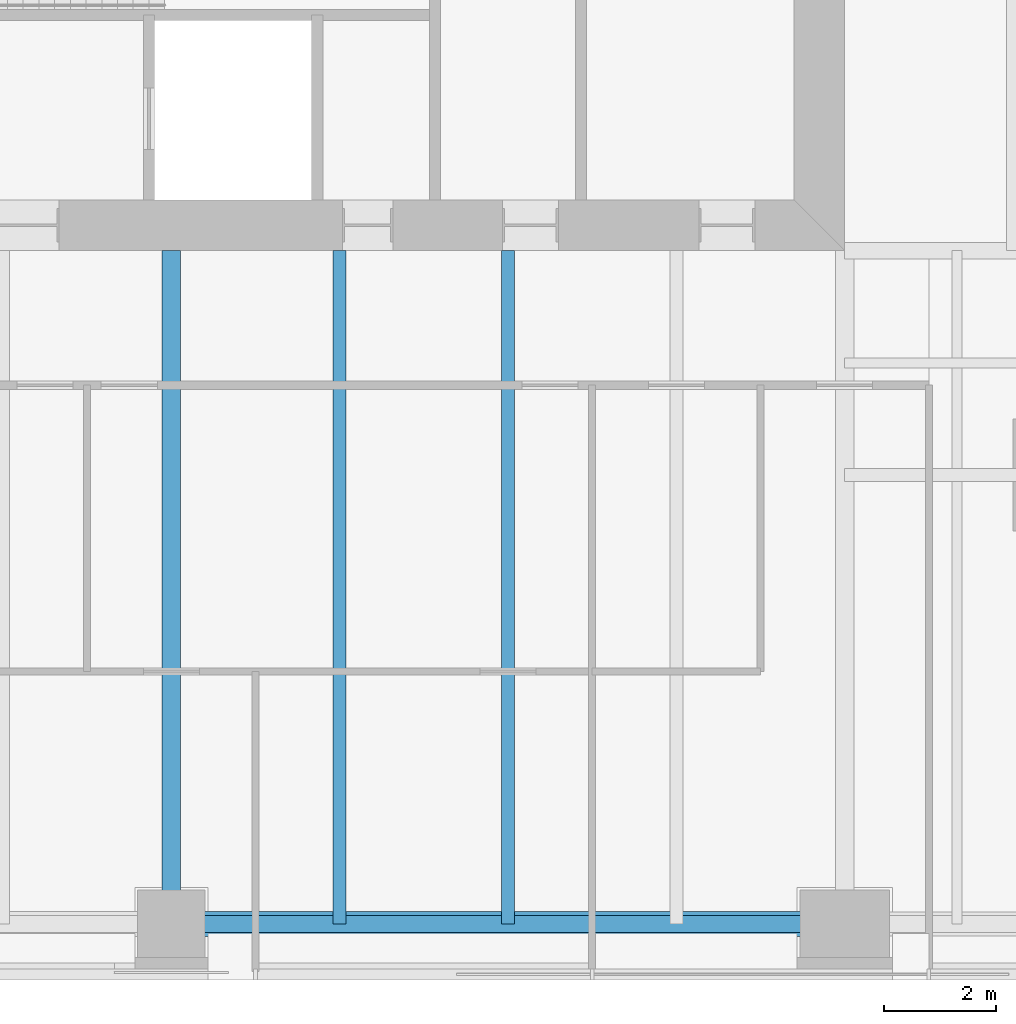
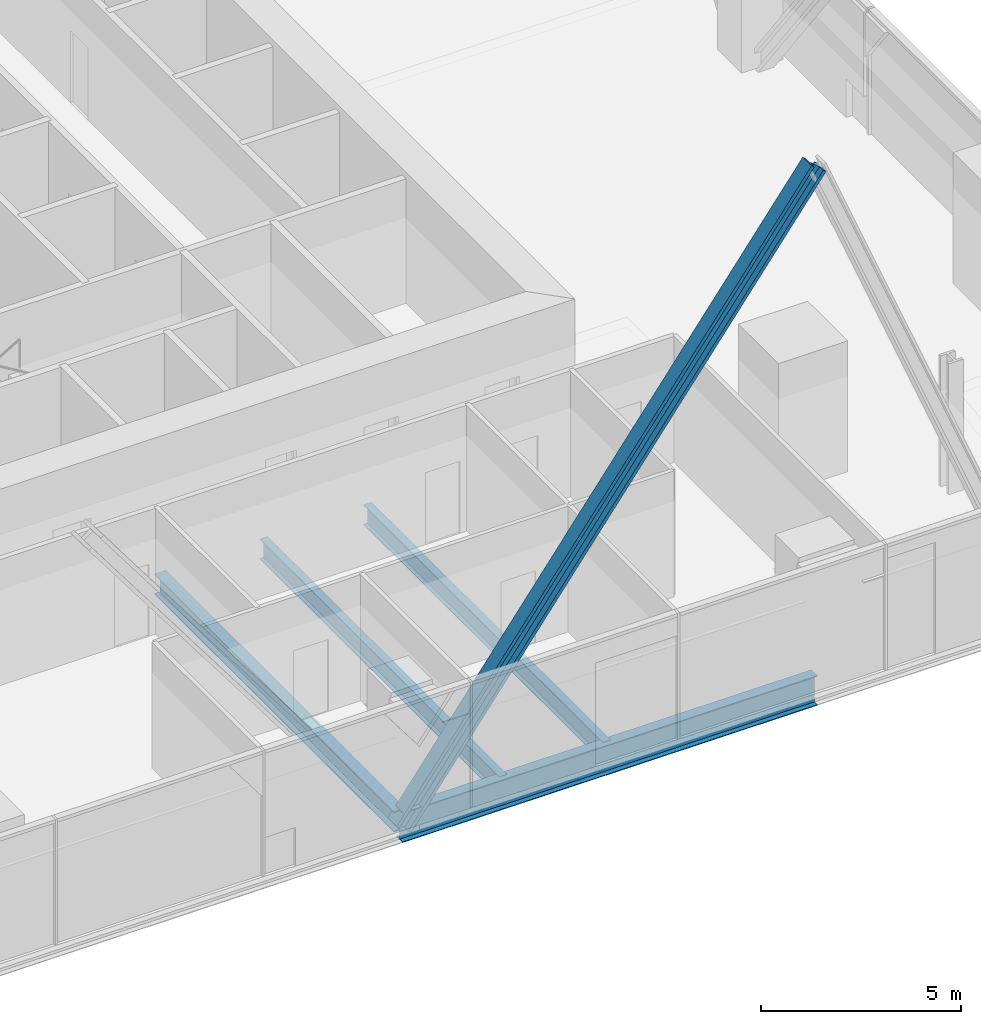
# One storey, part 3 of 14: 4 beams, 1 member.
"""IFC4 building model written with IfcOpenShell, lengths in metres."""

from ifc_helpers import new_model, si_unit, direction, frame, origin, origin_2d, place, context, subcontext, project, spatial, i_section, extrude, material, material_profile, profile_set, type_object, element, save


model = new_model("IFC4")

# Units and contexts
model_context = context("Model", 3, precision=1e-05, world=origin(), true_north=direction((0.0, 1.0)))
body_context = subcontext(model_context, "Body", "Model", "MODEL_VIEW")
ifc_project = project(units=[si_unit("LENGTHUNIT", "METRE"), si_unit("AREAUNIT", "SQUARE_METRE"), si_unit("VOLUMEUNIT", "CUBIC_METRE"), si_unit("PLANEANGLEUNIT", "RADIAN"), si_unit("MASSUNIT", "GRAM", prefix="KILO")], contexts=[model_context])

# Site, building, storey
site_placement = place(None, origin())
site = spatial("IfcSite", under=ifc_project, at=site_placement, CompositionType="ELEMENT")
building_placement = place(site_placement, origin())
building = spatial("IfcBuilding", under=site, at=building_placement, Name="Fenwick Lantern Interchange", CompositionType="ELEMENT")
storey_placement = place(building_placement, frame((0.0, 0.0, 185.800048828125)))
storey = spatial("IfcBuildingStorey", under=building, at=storey_placement, Name="L43", CompositionType="ELEMENT", Elevation=185.800048828125)

# Beam
ifc_material = material(Name="Steel ASTM A992 Grade 50", Category="steel")
ifc_material_profile_1 = material_profile(ifc_material, i_section(OverallWidth=0.3046875, OverallDepth=0.911865234375, WebThickness=0.015869140625, FlangeThickness=0.02392578125, at=origin_2d()), Name="W36X150")
ifc_profile_set_1 = profile_set([ifc_material_profile_1], Name="Steel ASTM A992 Grade 50")
beam_type_1 = type_object("IfcBeamType", Name="EDGE BEAM W36X150", PredefinedType="SPANDREL", material=ifc_profile_set_1)
beam_1_placement = place(storey_placement, frame((25.0, 1.0, -0.60595703125), z_axis=(1.0, 0.0, 0.0), x_axis=(0.0, 1.0, 0.0)))
element("IfcBeam", 1, at=beam_1_placement, inside=storey, type_object=beam_type_1, Name="L43/FR/S/EB3", PredefinedType="SPANDREL", context=body_context, shape_type="SweptSolid", body=[
    extrude(i_section(OverallWidth=0.3046875, OverallDepth=0.911865234375, WebThickness=0.015869140625, FlangeThickness=0.02392578125, at=origin_2d()), origin(), (0.0, 0.0, 1.0), 12.0),
])

# Member
ifc_material_profile_2 = material_profile(ifc_material, i_section(OverallWidth=0.44189453125, OverallDepth=0.53076171875, WebThickness=0.06591796875, FlangeThickness=0.105712890625, at=origin_2d()), Name="W14X605")
ifc_profile_set_2 = profile_set([ifc_material_profile_2], Name="Steel ASTM A992 Grade 50")
member_type = type_object("IfcMemberType", Name="FACADE BRACE W14X605", PredefinedType="BRACE", material=ifc_profile_set_2)
member_placement = place(storey_placement, frame((25.0, 1.0, -0.60595703125), z_axis=(0.6, 0.0, 0.8), x_axis=(0.0, 1.0, 0.0)))
element("IfcMember", 2, at=member_placement, inside=storey, type_object=member_type, Name="L43/FB/S/B", PredefinedType="BRACE", context=body_context, shape_type="SweptSolid", body=[
    extrude(i_section(OverallWidth=0.44189453125, OverallDepth=0.53076171875, WebThickness=0.06591796875, FlangeThickness=0.105712890625, at=origin_2d()), origin(), (0.0, 0.0, 1.0), 20.0),
])

# Beams
ifc_material_profile_3 = material_profile(ifc_material, i_section(OverallWidth=0.22900390625, OverallDepth=0.612060546875, WebThickness=0.011962890625, FlangeThickness=0.01953125, at=origin_2d()), Name="W24X84")
ifc_profile_set_3 = profile_set([ifc_material_profile_3], Name="Steel ASTM A992 Grade 50")
beam_type_2 = type_object("IfcBeamType", Name="FLOOR BEAM W24X84", PredefinedType="BEAM", material=ifc_profile_set_3)
for number, where, z_axis, x_axis, name in (
    (3, (28.0, 1.0, -0.4560546875), (0.0, 1.0, 0.0), (-1.0, 0.0, 0.0), "L43/FR/S/R06"),
    (4, (31.0, 1.0, -0.4560546875), (0.0, 1.0, 0.0), (-1.0, 0.0, 0.0), "L43/FR/S/R07"),
):
    element("IfcBeam", number, at=place(storey_placement, frame(where, z_axis=z_axis, x_axis=x_axis)), inside=storey, type_object=beam_type_2, Name=name, PredefinedType="BEAM", context=body_context, shape_type="SweptSolid", body=[
        extrude(i_section(OverallWidth=0.22900390625, OverallDepth=0.612060546875, WebThickness=0.011962890625, FlangeThickness=0.01953125, at=origin_2d()), origin(), (0.0, 0.0, 1.0), 12.0),
    ])
ifc_material_profile_4 = material_profile(ifc_material, i_section(OverallWidth=0.32763671875, OverallDepth=0.622314453125, WebThickness=0.015380859375, FlangeThickness=0.0244140625, at=origin_2d()), Name="W24X131")
ifc_profile_set_4 = profile_set([ifc_material_profile_4], Name="Steel ASTM A992 Grade 50")
beam_type_3 = type_object("IfcBeamType", Name="MOMENT-CONNECTED GIRDER W24X131", PredefinedType="BEAM", material=ifc_profile_set_4)
beam_2_placement = place(storey_placement, frame((25.0, 1.0, -0.461181640625), z_axis=(0.0, 1.0, 0.0), x_axis=(-1.0, 0.0, 0.0)))
element("IfcBeam", 5, at=beam_2_placement, inside=storey, type_object=beam_type_3, Name="L43/FR/S/R05", PredefinedType="BEAM", context=body_context, shape_type="SweptSolid", body=[
    extrude(i_section(OverallWidth=0.32763671875, OverallDepth=0.622314453125, WebThickness=0.015380859375, FlangeThickness=0.0244140625, at=origin_2d()), origin(), (0.0, 0.0, 1.0), 12.0),
])

save(model, "model.ifc")
